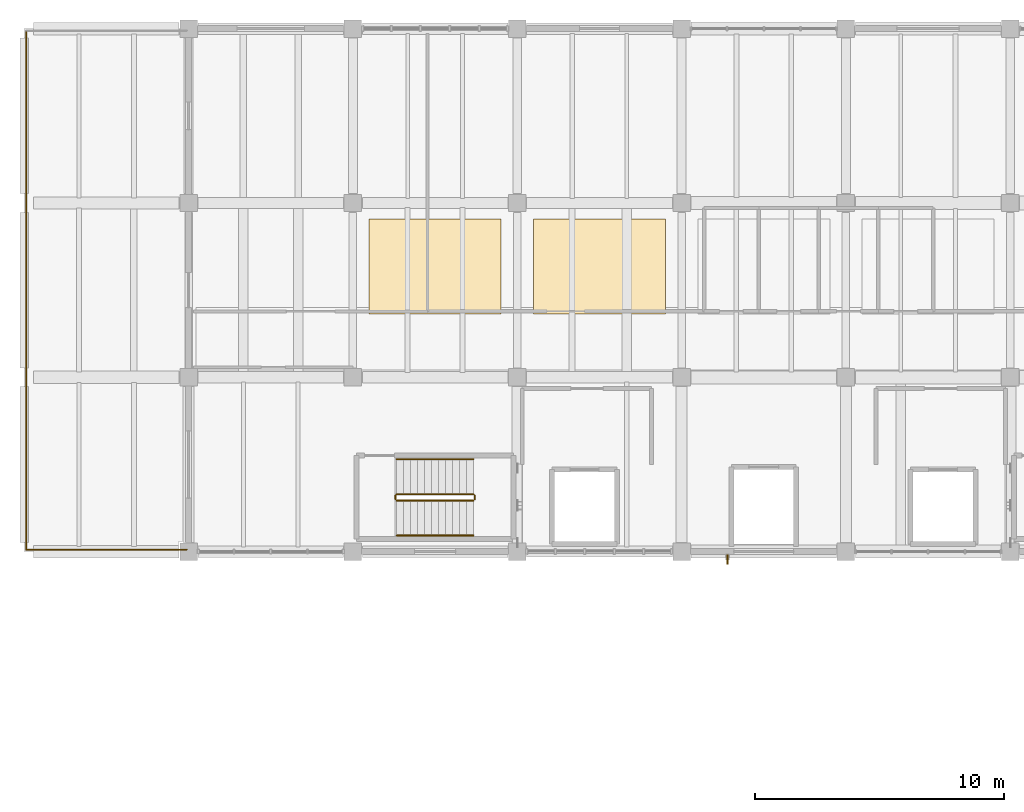
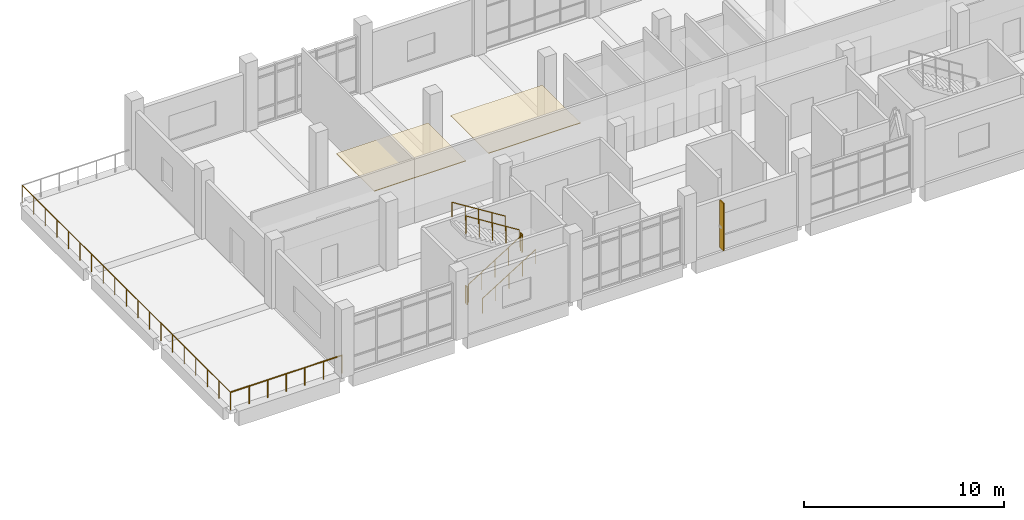
# One storey, part 17 of 20: 8 railings, 2 coverings, 1 shading device.
"""IFC4 building model written with IfcOpenShell, lengths in metres."""

from ifc_helpers import new_model, si_unit, direction, frame, origin, origin_2d, place, context, subcontext, project, spatial, polyline, rectangle, circle, outline, extrude, material, layer, layer_set, material_profile, profile_set, type_object, element, save


model = new_model("IFC4")

# Units and contexts
model_context = context("Model", 3, precision=1e-05, world=origin(), true_north=direction((0.0, 1.0)))
body_context = subcontext(model_context, "Body", "Model", "MODEL_VIEW")
ifc_project = project(units=[si_unit("LENGTHUNIT", "METRE"), si_unit("AREAUNIT", "SQUARE_METRE"), si_unit("VOLUMEUNIT", "CUBIC_METRE"), si_unit("PLANEANGLEUNIT", "RADIAN"), si_unit("MASSUNIT", "GRAM", prefix="KILO")], contexts=[model_context])

# Site, building, storey
site_placement = place(None, origin())
site = spatial("IfcSite", under=ifc_project, at=site_placement, CompositionType="ELEMENT")
building_placement = place(site_placement, origin())
building = spatial("IfcBuilding", under=site, at=building_placement, Name="Ciguamira Faculty of Natural Sciences", CompositionType="ELEMENT")
storey_placement = place(building_placement, frame((0.0, 0.0, 21.0)))
storey = spatial("IfcBuildingStorey", under=building, at=storey_placement, Name="L05", CompositionType="ELEMENT", Elevation=21.0)

# Coverings
ifc_material_1 = material(Name="Perforated white acoustic ceiling")
ifc_layer = layer(ifc_material_1, 0.0400390625, Name="Perforated white acoustic ceiling")
ifc_layer_set = layer_set([ifc_layer], Name="Perforated white acoustic ceiling")
covering_type = type_object("IfcCoveringType", Name="AcousticCeiling_AC01", PredefinedType="CEILING", material=ifc_layer_set)
covering_1_placement = place(storey_placement, frame((0.0, 0.0, 2.760009765625)))
element("IfcCovering", 1, at=covering_1_placement, inside=storey, type_object=covering_type, Name="L05 research bay 01 acoustic ceiling", PredefinedType="CEILING", context=body_context, shape_type="SweptSolid", body=[
    extrude(outline(polyline([(71.14990234375, 103.550048828125), (76.449951171875, 103.550048828125), (76.449951171875, 107.35009765625), (71.14990234375, 107.35009765625), (71.14990234375, 103.550048828125)])), origin(), (0.0, 0.0, 1.0), 0.0400390625),
])
covering_2_placement = place(storey_placement, frame((0.0, 0.0, 2.760009765625)))
element("IfcCovering", 2, at=covering_2_placement, inside=storey, type_object=covering_type, Name="L05 research bay 02 acoustic ceiling", PredefinedType="CEILING", context=body_context, shape_type="SweptSolid", body=[
    extrude(outline(polyline([(77.75, 103.550048828125), (83.050048828125, 103.550048828125), (83.050048828125, 107.35009765625), (77.75, 107.35009765625), (77.75, 103.550048828125)])), origin(), (0.0, 0.0, 1.0), 0.0400390625),
])

# Railings
ifc_material_2 = material(Name="Stainless steel balustrade", Category="steel")
railing_type_1 = type_object("IfcRailingType", Name="Guardrail_GR01", PredefinedType="GUARDRAIL", material=ifc_material_2)
railing_1_placement = place(storey_placement, frame((57.3798828125, 94.080078125, 0.0)))
element("IfcRailing", 3, at=railing_1_placement, inside=storey, type_object=railing_type_1, Name="L05 Tower West Setback Terrace south guardrail", PredefinedType="GUARDRAIL", context=body_context, shape_type="SweptSolid", body=[
    extrude(circle(Radius=0.02392578125, at=origin_2d()), frame((0.0, 0.0, 1.076171875), z_axis=(1.0, 0.0, 0.0), x_axis=(0.0, 1.0, 0.0)), (0.0, 0.0, 1.0), 6.440185546875),
    extrude(circle(Radius=0.02099609375, at=origin_2d()), origin(), (0.0, 0.0, 1.0), 1.052001953125),
    extrude(circle(Radius=0.02099609375, at=origin_2d()), frame((1.0732421875, 0.0, 0.0)), (0.0, 0.0, 1.0), 1.052001953125),
    extrude(circle(Radius=0.02099609375, at=origin_2d()), frame((2.146728515625, 0.0, 0.0)), (0.0, 0.0, 1.0), 1.052001953125),
    extrude(circle(Radius=0.02099609375, at=origin_2d()), frame((3.22021484375, 0.0, 0.0)), (0.0, 0.0, 1.0), 1.052001953125),
    extrude(circle(Radius=0.02099609375, at=origin_2d()), frame((4.29345703125, 0.0, 0.0)), (0.0, 0.0, 1.0), 1.052001953125),
    extrude(circle(Radius=0.02099609375, at=origin_2d()), frame((5.36669921875, 0.0, 0.0)), (0.0, 0.0, 1.0), 1.052001953125),
    extrude(circle(Radius=0.02099609375, at=origin_2d()), frame((6.440185546875, 0.0, 0.0)), (0.0, 0.0, 1.0), 1.052001953125),
])
railing_2_placement = place(storey_placement, frame((57.3798828125, 94.080078125, 0.0)))
element("IfcRailing", 4, at=railing_2_placement, inside=storey, type_object=railing_type_1, Name="L05 Tower West Setback Terrace west guardrail", PredefinedType="GUARDRAIL", context=body_context, shape_type="SweptSolid", body=[
    extrude(circle(Radius=0.02392578125, at=origin_2d()), frame((0.0, 0.0, 1.076171875), z_axis=(0.0, 1.0, 0.0), x_axis=(-1.0, 0.0, 0.0)), (0.0, 0.0, 1.0), 20.83984375),
    extrude(circle(Radius=0.02099609375, at=origin_2d()), origin(), (0.0, 0.0, 1.0), 1.052001953125),
    extrude(circle(Radius=0.02099609375, at=origin_2d()), frame((0.0, 1.15771484375, 0.0)), (0.0, 0.0, 1.0), 1.052001953125),
    extrude(circle(Radius=0.02099609375, at=origin_2d()), frame((0.0, 2.3154296875, 0.0)), (0.0, 0.0, 1.0), 1.052001953125),
    extrude(circle(Radius=0.02099609375, at=origin_2d()), frame((0.0, 3.473388671875, 0.0)), (0.0, 0.0, 1.0), 1.052001953125),
    extrude(circle(Radius=0.02099609375, at=origin_2d()), frame((0.0, 4.631103515625, 0.0)), (0.0, 0.0, 1.0), 1.052001953125),
    extrude(circle(Radius=0.02099609375, at=origin_2d()), frame((0.0, 5.788818359375, 0.0)), (0.0, 0.0, 1.0), 1.052001953125),
    extrude(circle(Radius=0.02099609375, at=origin_2d()), frame((0.0, 6.946533203125, 0.0)), (0.0, 0.0, 1.0), 1.052001953125),
    extrude(circle(Radius=0.02099609375, at=origin_2d()), frame((0.0, 8.1044921875, 0.0)), (0.0, 0.0, 1.0), 1.052001953125),
    extrude(circle(Radius=0.02099609375, at=origin_2d()), frame((0.0, 9.26220703125, 0.0)), (0.0, 0.0, 1.0), 1.052001953125),
    extrude(circle(Radius=0.02099609375, at=origin_2d()), frame((0.0, 10.419921875, 0.0)), (0.0, 0.0, 1.0), 1.052001953125),
    extrude(circle(Radius=0.02099609375, at=origin_2d()), frame((0.0, 11.57763671875, 0.0)), (0.0, 0.0, 1.0), 1.052001953125),
    extrude(circle(Radius=0.02099609375, at=origin_2d()), frame((0.0, 12.7353515625, 0.0)), (0.0, 0.0, 1.0), 1.052001953125),
    extrude(circle(Radius=0.02099609375, at=origin_2d()), frame((0.0, 13.893310546875, 0.0)), (0.0, 0.0, 1.0), 1.052001953125),
    extrude(circle(Radius=0.02099609375, at=origin_2d()), frame((0.0, 15.051025390625, 0.0)), (0.0, 0.0, 1.0), 1.052001953125),
    extrude(circle(Radius=0.02099609375, at=origin_2d()), frame((0.0, 16.208740234375, 0.0)), (0.0, 0.0, 1.0), 1.052001953125),
    extrude(circle(Radius=0.02099609375, at=origin_2d()), frame((0.0, 17.366455078125, 0.0)), (0.0, 0.0, 1.0), 1.052001953125),
    extrude(circle(Radius=0.02099609375, at=origin_2d()), frame((0.0, 18.5244140625, 0.0)), (0.0, 0.0, 1.0), 1.052001953125),
    extrude(circle(Radius=0.02099609375, at=origin_2d()), frame((0.0, 19.68212890625, 0.0)), (0.0, 0.0, 1.0), 1.052001953125),
    extrude(circle(Radius=0.02099609375, at=origin_2d()), frame((0.0, 20.83984375, 0.0)), (0.0, 0.0, 1.0), 1.052001953125),
])
railing_3_placement = place(storey_placement, frame((72.260009765625, 96.050048828125, 0.175048828125)))
element("IfcRailing", 5, at=railing_3_placement, inside=storey, type_object=railing_type_1, Name="L05 ST-T1 stair guard 1", PredefinedType="GUARDRAIL", context=body_context, shape_type="SweptSolid", body=[
    extrude(circle(Radius=0.02392578125, at=origin_2d()), frame((0.0, 0.0, 1.076171875), z_axis=(0.847998304005, 0.0, 0.529998940003), x_axis=(0.0, 1.0, 0.0)), (0.0, 0.0, 1.0), 3.632080078125),
    extrude(circle(Radius=0.02099609375, at=origin_2d()), origin(), (0.0, 0.0, 1.0), 1.052001953125),
    extrude(circle(Radius=0.02099609375, at=origin_2d()), frame((0.77001953125, 0.0, 0.481201171875)), (0.0, 0.0, 1.0), 1.052001953125),
    extrude(circle(Radius=0.02099609375, at=origin_2d()), frame((1.5400390625, 0.0, 0.96240234375)), (0.0, 0.0, 1.0), 1.052001953125),
    extrude(circle(Radius=0.02099609375, at=origin_2d()), frame((2.31005859375, 0.0, 1.44384765625)), (0.0, 0.0, 1.0), 1.052001953125),
    extrude(circle(Radius=0.02099609375, at=origin_2d()), frame((3.080078125, 0.0, 1.925048828125)), (0.0, 0.0, 1.0), 1.052001953125),
])
railing_4_placement = place(storey_placement, frame((75.389892578125, 96.10009765625, 2.10009765625)))
element("IfcRailing", 6, at=railing_4_placement, inside=storey, type_object=railing_type_1, Name="L05 ST-T1 stair guard 2", PredefinedType="GUARDRAIL", context=body_context, shape_type="SweptSolid", body=[
    extrude(circle(Radius=0.02392578125, at=origin_2d()), frame((0.0, 0.0, 1.076171875), z_axis=(0.0, 1.0, 0.0), x_axis=(-1.0, 0.0, 0.0)), (0.0, 0.0, 1.0), 0.159912109375),
    extrude(circle(Radius=0.02099609375, at=origin_2d()), origin(), (0.0, 0.0, 1.0), 1.052001953125),
    extrude(circle(Radius=0.02099609375, at=origin_2d()), frame((0.0, 0.159912109375, 0.0)), (0.0, 0.0, 1.0), 1.052001953125),
])
railing_5_placement = place(storey_placement, frame((75.340087890625, 96.31005859375, 2.27490234375)))
element("IfcRailing", 7, at=railing_5_placement, inside=storey, type_object=railing_type_1, Name="L05 ST-T1 stair guard 3", PredefinedType="GUARDRAIL", context=body_context, shape_type="SweptSolid", body=[
    extrude(circle(Radius=0.02392578125, at=origin_2d()), frame((0.0, 0.0, 1.076171875), z_axis=(-0.847998304005, 0.0, 0.529998940003), x_axis=(0.0, -1.0, 0.0)), (0.0, 0.0, 1.0), 3.632080078125),
    extrude(circle(Radius=0.02099609375, at=origin_2d()), origin(), (0.0, 0.0, 1.0), 1.052001953125),
    extrude(circle(Radius=0.02099609375, at=origin_2d()), frame((-0.77001953125, 0.0, 0.481201171875)), (0.0, 0.0, 1.0), 1.052001953125),
    extrude(circle(Radius=0.02099609375, at=origin_2d()), frame((-1.5400390625, 0.0, 0.96240234375)), (0.0, 0.0, 1.0), 1.052001953125),
    extrude(circle(Radius=0.02099609375, at=origin_2d()), frame((-2.31005859375, 0.0, 1.44384765625)), (0.0, 0.0, 1.0), 1.052001953125),
    extrude(circle(Radius=0.02099609375, at=origin_2d()), frame((-3.080078125, 0.0, 1.925048828125)), (0.0, 0.0, 1.0), 1.052001953125),
])
railing_6_placement = place(storey_placement, frame((72.2099609375, 96.10009765625, 0.0)))
element("IfcRailing", 8, at=railing_6_placement, inside=storey, type_object=railing_type_1, Name="L05 ST-T1 stair guard 4", PredefinedType="GUARDRAIL", context=body_context, shape_type="SweptSolid", body=[
    extrude(circle(Radius=0.02392578125, at=origin_2d()), frame((0.0, 0.0, 1.076171875), z_axis=(0.0, 1.0, 0.0), x_axis=(-1.0, 0.0, 0.0)), (0.0, 0.0, 1.0), 0.159912109375),
    extrude(circle(Radius=0.02099609375, at=origin_2d()), origin(), (0.0, 0.0, 1.0), 1.052001953125),
    extrude(circle(Radius=0.02099609375, at=origin_2d()), frame((0.0, 0.159912109375, 0.0)), (0.0, 0.0, 1.0), 1.052001953125),
])
ifc_material_3 = material(Name="Stainless steel handrail", Category="steel")
railing_type_2 = type_object("IfcRailingType", Name="Handrail_HR01", PredefinedType="HANDRAIL", material=ifc_material_3)
railing_7_placement = place(storey_placement, frame((72.260009765625, 94.64990234375, 0.35009765625)))
element("IfcRailing", 9, at=railing_7_placement, inside=storey, type_object=railing_type_2, Name="L05 ST-T1 stair handrail 1", PredefinedType="HANDRAIL", context=body_context, shape_type="SweptSolid", body=[
    extrude(circle(Radius=0.02392578125, at=origin_2d()), frame((0.0, 0.0, 0.89111328125), z_axis=(0.848028513186, 0.0, 0.529950602248), x_axis=(0.0, 1.0, 0.0)), (0.0, 0.0, 1.0), 3.632080078125),
    extrude(circle(Radius=0.02099609375, at=origin_2d()), origin(), (0.0, 0.0, 1.0), 0.866943359375),
    extrude(circle(Radius=0.02099609375, at=origin_2d()), frame((0.77001953125, 0.0, 0.481201171875)), (0.0, 0.0, 1.0), 0.866943359375),
    extrude(circle(Radius=0.02099609375, at=origin_2d()), frame((1.5400390625, 0.0, 0.96240234375)), (0.0, 0.0, 1.0), 0.866943359375),
    extrude(circle(Radius=0.02099609375, at=origin_2d()), frame((2.31005859375, 0.0, 1.443603515625)), (0.0, 0.0, 1.0), 0.866943359375),
    extrude(circle(Radius=0.02099609375, at=origin_2d()), frame((3.080078125, 0.0, 1.9248046875)), (0.0, 0.0, 1.0), 0.866943359375),
])
railing_8_placement = place(storey_placement, frame((75.340087890625, 97.7099609375, 2.449951171875)))
element("IfcRailing", 10, at=railing_8_placement, inside=storey, type_object=railing_type_2, Name="L05 ST-T1 stair handrail 2", PredefinedType="HANDRAIL", context=body_context, shape_type="SweptSolid", body=[
    extrude(circle(Radius=0.02392578125, at=origin_2d()), frame((0.0, 0.0, 0.89111328125), z_axis=(-0.847998304005, 0.0, 0.529998940003), x_axis=(0.0, -1.0, 0.0)), (0.0, 0.0, 1.0), 3.632080078125),
    extrude(circle(Radius=0.02099609375, at=origin_2d()), origin(), (0.0, 0.0, 1.0), 0.866943359375),
    extrude(circle(Radius=0.02099609375, at=origin_2d()), frame((-0.77001953125, 0.0, 0.481201171875)), (0.0, 0.0, 1.0), 0.866943359375),
    extrude(circle(Radius=0.02099609375, at=origin_2d()), frame((-1.5400390625, 0.0, 0.96240234375)), (0.0, 0.0, 1.0), 0.866943359375),
    extrude(circle(Radius=0.02099609375, at=origin_2d()), frame((-2.31005859375, 0.0, 1.44384765625)), (0.0, 0.0, 1.0), 0.866943359375),
    extrude(circle(Radius=0.02099609375, at=origin_2d()), frame((-3.080078125, 0.0, 1.925048828125)), (0.0, 0.0, 1.0), 0.866943359375),
])

# Shading device
ifc_material_4 = material(Name="Anodized bronze sunshade fin")
ifc_material_profile = material_profile(ifc_material_4, rectangle(XDim=0.06494140625, YDim=0.3798828125, at=origin_2d()), Name="BRZ-FIN-65X380")
ifc_profile_set = profile_set([ifc_material_profile], Name="Anodized bronze sunshade fin")
shading_device_type = type_object("IfcShadingDeviceType", Name="SunFin_SF01", PredefinedType="USERDEFINED", material=ifc_profile_set)
shading_device_placement = place(storey_placement, frame((85.550048828125, 93.68994140625, 0.199951171875), z_axis=(0.0, 0.0, 1.0), x_axis=(1.0, 0.0, 0.0)))
element("IfcShadingDevice", 11, at=shading_device_placement, inside=storey, type_object=shading_device_type, Name="L05 bronze vertical sunshade fin 0030", ObjectType="SUNSHADE FIN", PredefinedType="USERDEFINED", context=body_context, shape_type="SweptSolid", body=[
    extrude(rectangle(XDim=0.06494140625, YDim=0.3798828125, at=origin_2d()), origin(), (0.0, 0.0, 1.0), 2.885009765625),
])

save(model, "model.ifc")
